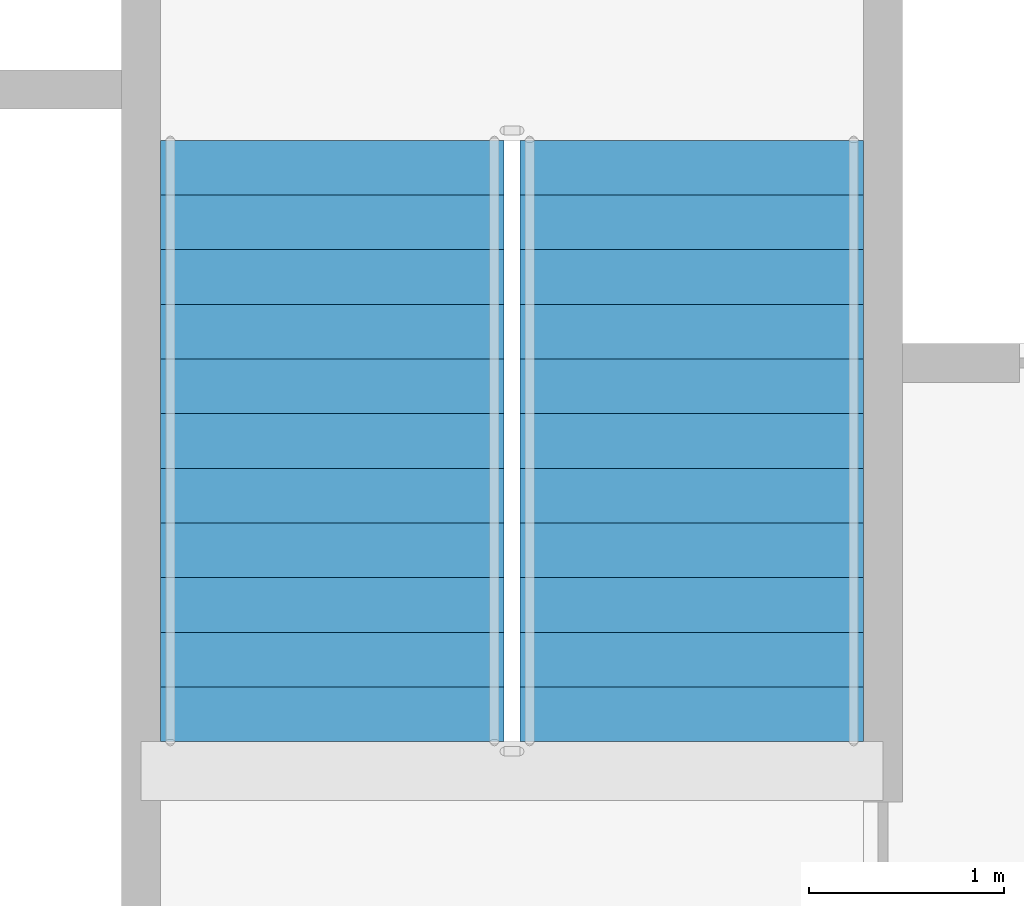
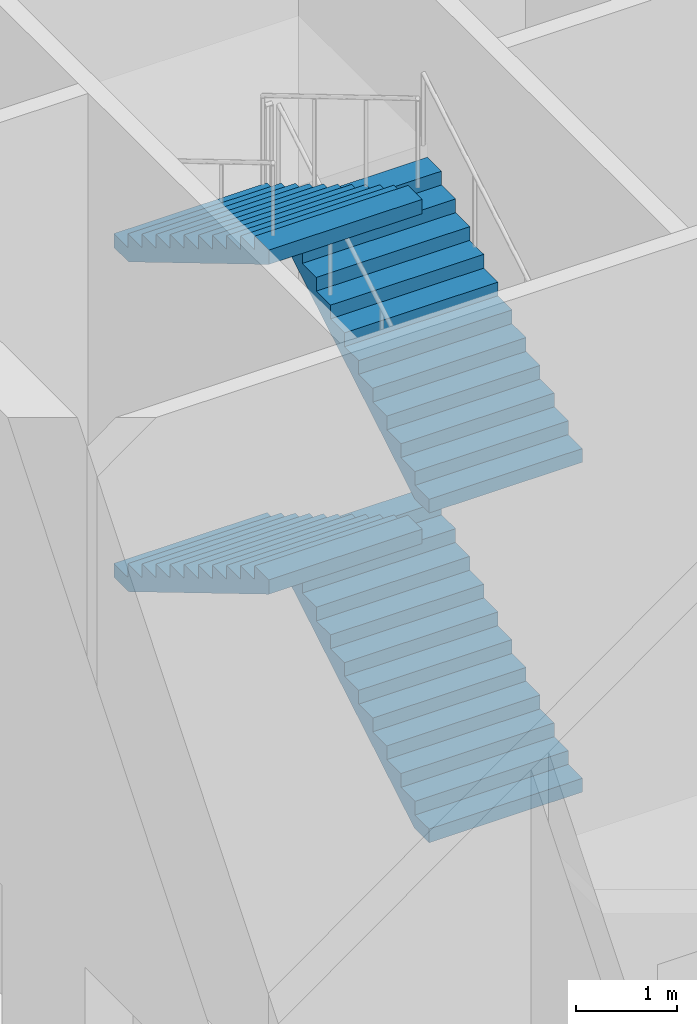
# One storey, part 45 of 55: 4 stair flights, 1 element without a shape of its own.
"""IFC4 building model written with IfcOpenShell, lengths in metres."""

from ifc_helpers import new_model, si_unit, direction, frame, origin, place, context, subcontext, project, spatial, faceted_brep, material, type_object, element, aggregate, save


model = new_model("IFC4")

# Units and contexts
model_context = context("Model", 3, precision=1e-05, world=origin(), true_north=direction((0.0, 1.0)))
body_context = subcontext(model_context, "Body", "Model", "MODEL_VIEW")
ifc_project = project(units=[si_unit("LENGTHUNIT", "METRE"), si_unit("AREAUNIT", "SQUARE_METRE"), si_unit("VOLUMEUNIT", "CUBIC_METRE"), si_unit("PLANEANGLEUNIT", "RADIAN"), si_unit("MASSUNIT", "GRAM", prefix="KILO")], contexts=[model_context])

# Site, building, storey
site_placement = place(None, origin())
site = spatial("IfcSite", under=ifc_project, at=site_placement, CompositionType="ELEMENT")
building_placement = place(site_placement, origin())
building = spatial("IfcBuilding", under=site, at=building_placement, Name="Tarsis Ring Headquarters", CompositionType="ELEMENT")
storey_placement = place(building_placement, frame((0.0, 0.0, 247.199951171875)))
storey = spatial("IfcBuildingStorey", under=building, at=storey_placement, Name="L58", CompositionType="ELEMENT", Elevation=247.199951171875)

# Stair, stair flights
ifc_material_1 = material(Name="Core stair 1760")
stair_type = type_object("IfcStairType", Name="Core stair 1760", PredefinedType="HALF_TURN_STAIR", material=ifc_material_1)
stair_placement = place(storey_placement, origin())
stair = element("IfcStair", 1, at=stair_placement, inside=storey, type_object=stair_type, Name="L58 Firefighting stair", PredefinedType="HALF_TURN_STAIR")
ifc_material_2 = material(Name="Concrete C40/50", Category="concrete")
stair_flight_type = type_object("IfcStairFlightType", Name="Core stair flight 1760", PredefinedType="STRAIGHT", material=ifc_material_2)
stair_flight_1_placement = place(storey_placement, frame((-3.580078125, 3.659912109375, 0.0), z_axis=(0.0, 0.0, 1.0), x_axis=(0.0, 1.0, 0.0)))
stair_flight_1 = element("IfcStairFlight", 2, at=stair_flight_1_placement, type_object=stair_flight_type, Name="Stair ST1 flight 1", NumberOfRisers=12, NumberOfTreads=11, PredefinedType="STRAIGHT", RiserHeight=0.166666667, TreadLength=0.28, context=body_context, shape_type="Brep", body=[
    faceted_brep([(0.0, 0.8798828125, 0.0), (0.0, 0.8798828125, 0.166748046875), (0.280029296875, 0.8798828125, 0.166748046875), (0.280029296875, 0.8798828125, 0.333251953125), (0.56005859375, 0.8798828125, 0.333251953125), (0.56005859375, 0.8798828125, 0.5), (0.840087890625, 0.8798828125, 0.5), (0.840087890625, 0.8798828125, 0.666748046875), (1.1201171875, 0.8798828125, 0.666748046875), (1.1201171875, 0.8798828125, 0.833251953125), (1.39990234375, 0.8798828125, 0.833251953125), (1.39990234375, 0.8798828125, 1.0), (1.679931640625, 0.8798828125, 1.0), (1.679931640625, 0.8798828125, 1.166748046875), (1.9599609375, 0.8798828125, 1.166748046875), (1.9599609375, 0.8798828125, 1.333251953125), (2.239990234375, 0.8798828125, 1.333251953125), (2.239990234375, 0.8798828125, 1.5), (2.52001953125, 0.8798828125, 1.5), (2.52001953125, 0.8798828125, 1.666748046875), (2.800048828125, 0.8798828125, 1.666748046875), (2.800048828125, 0.8798828125, 1.833251953125), (3.080078125, 0.8798828125, 1.833251953125), (3.080078125, 0.8798828125, 1.658935546875), (0.29296875, 0.8798828125, 0.0), (0.29296875, -0.8798828125, 0.0), (3.080078125, -0.8798828125, 1.658935546875), (3.080078125, -0.8798828125, 1.833251953125), (2.800048828125, -0.8798828125, 1.833251953125), (2.800048828125, -0.8798828125, 1.666748046875), (2.52001953125, -0.8798828125, 1.666748046875), (2.52001953125, -0.8798828125, 1.5), (2.239990234375, -0.8798828125, 1.5), (2.239990234375, -0.8798828125, 1.333251953125), (1.9599609375, -0.8798828125, 1.333251953125), (1.9599609375, -0.8798828125, 1.166748046875), (1.679931640625, -0.8798828125, 1.166748046875), (1.679931640625, -0.8798828125, 1.0), (1.39990234375, -0.8798828125, 1.0), (1.39990234375, -0.8798828125, 0.833251953125), (1.1201171875, -0.8798828125, 0.833251953125), (1.1201171875, -0.8798828125, 0.666748046875), (0.840087890625, -0.8798828125, 0.666748046875), (0.840087890625, -0.8798828125, 0.5), (0.56005859375, -0.8798828125, 0.5), (0.56005859375, -0.8798828125, 0.333251953125), (0.280029296875, -0.8798828125, 0.333251953125), (0.280029296875, -0.8798828125, 0.166748046875), (0.0, -0.8798828125, 0.166748046875), (0.0, -0.8798828125, 0.0), (0.0, -0.43994140625, 0.166748046875), (0.0, -0.43994140625, 0.0), (0.0, 0.0, 0.166748046875), (0.0, 0.0, 0.0), (0.0, 0.43994140625, 0.166748046875), (0.0, 0.43994140625, 0.0), (0.280029296875, -0.43994140625, 0.166748046875), (0.280029296875, 0.0, 0.166748046875), (0.280029296875, 0.43994140625, 0.166748046875), (0.280029296875, -0.43994140625, 0.333251953125), (0.280029296875, 0.0, 0.333251953125), (0.280029296875, 0.43994140625, 0.333251953125), (0.56005859375, -0.43994140625, 0.333251953125), (0.56005859375, 0.0, 0.333251953125), (0.56005859375, 0.43994140625, 0.333251953125), (0.56005859375, -0.43994140625, 0.5), (0.56005859375, 0.0, 0.5), (0.56005859375, 0.43994140625, 0.5), (0.840087890625, -0.43994140625, 0.5), (0.840087890625, 0.0, 0.5), (0.840087890625, 0.43994140625, 0.5), (0.840087890625, -0.43994140625, 0.666748046875), (0.840087890625, 0.0, 0.666748046875), (0.840087890625, 0.43994140625, 0.666748046875), (1.1201171875, -0.43994140625, 0.666748046875), (1.1201171875, 0.0, 0.666748046875), (1.1201171875, 0.43994140625, 0.666748046875), (1.1201171875, -0.43994140625, 0.833251953125), (1.1201171875, 0.0, 0.833251953125), (1.1201171875, 0.43994140625, 0.833251953125), (1.39990234375, -0.43994140625, 0.833251953125), (1.39990234375, 0.0, 0.833251953125), (1.39990234375, 0.43994140625, 0.833251953125), (1.39990234375, -0.43994140625, 1.0), (1.39990234375, 0.0, 1.0), (1.39990234375, 0.43994140625, 1.0), (1.679931640625, -0.43994140625, 1.0), (1.679931640625, 0.0, 1.0), (1.679931640625, 0.43994140625, 1.0), (1.679931640625, -0.43994140625, 1.166748046875), (1.679931640625, 0.0, 1.166748046875), (1.679931640625, 0.43994140625, 1.166748046875), (1.9599609375, -0.43994140625, 1.166748046875), (1.9599609375, 0.0, 1.166748046875), (1.9599609375, 0.43994140625, 1.166748046875), (1.9599609375, -0.43994140625, 1.333251953125), (1.9599609375, 0.0, 1.333251953125), (1.9599609375, 0.43994140625, 1.333251953125), (2.239990234375, -0.43994140625, 1.333251953125), (2.239990234375, 0.0, 1.333251953125), (2.239990234375, 0.43994140625, 1.333251953125), (2.239990234375, -0.43994140625, 1.5), (2.239990234375, 0.0, 1.5), (2.239990234375, 0.43994140625, 1.5), (2.52001953125, -0.43994140625, 1.5), (2.52001953125, 0.0, 1.5), (2.52001953125, 0.43994140625, 1.5), (2.52001953125, -0.43994140625, 1.666748046875), (2.52001953125, 0.0, 1.666748046875), (2.52001953125, 0.43994140625, 1.666748046875), (2.800048828125, -0.43994140625, 1.666748046875), (2.800048828125, 0.0, 1.666748046875), (2.800048828125, 0.43994140625, 1.666748046875), (2.800048828125, -0.43994140625, 1.833251953125), (2.800048828125, 0.0, 1.833251953125), (2.800048828125, 0.43994140625, 1.833251953125), (3.080078125, -0.43994140625, 1.833251953125), (3.080078125, 0.0, 1.833251953125), (3.080078125, 0.43994140625, 1.833251953125), (3.080078125, -0.43994140625, 1.658935546875), (3.080078125, 0.0, 1.658935546875), (3.080078125, 0.43994140625, 1.658935546875), (0.29296875, -0.43994140625, 0.0), (0.29296875, 0.0, 0.0), (0.29296875, 0.43994140625, 0.0)], [[[0, 1, 2, 3, 4, 5, 6, 7, 8, 9, 10, 11, 12, 13, 14, 15, 16, 17, 18, 19, 20, 21, 22, 23, 24]], [[25, 26, 27, 28, 29, 30, 31, 32, 33, 34, 35, 36, 37, 38, 39, 40, 41, 42, 43, 44, 45, 46, 47, 48, 49]], [[49, 48, 50, 51]], [[51, 50, 52, 53]], [[53, 52, 54, 55]], [[55, 54, 1, 0]], [[48, 47, 56, 50]], [[50, 56, 57, 52]], [[52, 57, 58, 54]], [[54, 58, 2, 1]], [[47, 46, 59, 56]], [[56, 59, 60, 57]], [[57, 60, 61, 58]], [[58, 61, 3, 2]], [[46, 45, 62, 59]], [[59, 62, 63, 60]], [[60, 63, 64, 61]], [[61, 64, 4, 3]], [[45, 44, 65, 62]], [[62, 65, 66, 63]], [[63, 66, 67, 64]], [[64, 67, 5, 4]], [[44, 43, 68, 65]], [[65, 68, 69, 66]], [[66, 69, 70, 67]], [[67, 70, 6, 5]], [[43, 42, 71, 68]], [[68, 71, 72, 69]], [[69, 72, 73, 70]], [[70, 73, 7, 6]], [[42, 41, 74, 71]], [[71, 74, 75, 72]], [[72, 75, 76, 73]], [[73, 76, 8, 7]], [[41, 40, 77, 74]], [[74, 77, 78, 75]], [[75, 78, 79, 76]], [[76, 79, 9, 8]], [[40, 39, 80, 77]], [[77, 80, 81, 78]], [[78, 81, 82, 79]], [[79, 82, 10, 9]], [[39, 38, 83, 80]], [[80, 83, 84, 81]], [[81, 84, 85, 82]], [[82, 85, 11, 10]], [[38, 37, 86, 83]], [[83, 86, 87, 84]], [[84, 87, 88, 85]], [[85, 88, 12, 11]], [[37, 36, 89, 86]], [[86, 89, 90, 87]], [[87, 90, 91, 88]], [[88, 91, 13, 12]], [[36, 35, 92, 89]], [[89, 92, 93, 90]], [[90, 93, 94, 91]], [[91, 94, 14, 13]], [[35, 34, 95, 92]], [[92, 95, 96, 93]], [[93, 96, 97, 94]], [[94, 97, 15, 14]], [[34, 33, 98, 95]], [[95, 98, 99, 96]], [[96, 99, 100, 97]], [[97, 100, 16, 15]], [[33, 32, 101, 98]], [[98, 101, 102, 99]], [[99, 102, 103, 100]], [[100, 103, 17, 16]], [[32, 31, 104, 101]], [[101, 104, 105, 102]], [[102, 105, 106, 103]], [[103, 106, 18, 17]], [[31, 30, 107, 104]], [[104, 107, 108, 105]], [[105, 108, 109, 106]], [[106, 109, 19, 18]], [[30, 29, 110, 107]], [[107, 110, 111, 108]], [[108, 111, 112, 109]], [[109, 112, 20, 19]], [[29, 28, 113, 110]], [[110, 113, 114, 111]], [[111, 114, 115, 112]], [[112, 115, 21, 20]], [[28, 27, 116, 113]], [[113, 116, 117, 114]], [[114, 117, 118, 115]], [[115, 118, 22, 21]], [[27, 26, 119, 116]], [[116, 119, 120, 117]], [[117, 120, 121, 118]], [[118, 121, 23, 22]], [[26, 25, 122, 119]], [[119, 122, 123, 120]], [[120, 123, 124, 121]], [[121, 124, 24, 23]], [[25, 49, 51, 122]], [[122, 51, 53, 123]], [[123, 53, 55, 124]], [[124, 55, 0, 24]]]),
])
stair_flight_2_placement = place(storey_placement, frame((-5.419921875, 6.739990234375, 2.0), z_axis=(0.0, 0.0, 1.0), x_axis=(0.0, -1.0, 0.0)))
stair_flight_2 = element("IfcStairFlight", 3, at=stair_flight_2_placement, type_object=stair_flight_type, Name="Stair ST1 flight 2", NumberOfRisers=12, NumberOfTreads=11, PredefinedType="STRAIGHT", RiserHeight=0.166666667, TreadLength=0.28, context=body_context, shape_type="Brep", body=[
    faceted_brep([(0.0, 0.8798828125, 0.0), (0.0, 0.8798828125, 0.166748046875), (0.280029296875, 0.8798828125, 0.166748046875), (0.280029296875, 0.8798828125, 0.333251953125), (0.56005859375, 0.8798828125, 0.333251953125), (0.56005859375, 0.8798828125, 0.5), (0.840087890625, 0.8798828125, 0.5), (0.840087890625, 0.8798828125, 0.666748046875), (1.1201171875, 0.8798828125, 0.666748046875), (1.1201171875, 0.8798828125, 0.833251953125), (1.39990234375, 0.8798828125, 0.833251953125), (1.39990234375, 0.8798828125, 1.0), (1.679931640625, 0.8798828125, 1.0), (1.679931640625, 0.8798828125, 1.166748046875), (1.9599609375, 0.8798828125, 1.166748046875), (1.9599609375, 0.8798828125, 1.333251953125), (2.239990234375, 0.8798828125, 1.333251953125), (2.239990234375, 0.8798828125, 1.5), (2.52001953125, 0.8798828125, 1.5), (2.52001953125, 0.8798828125, 1.666748046875), (2.800048828125, 0.8798828125, 1.666748046875), (2.800048828125, 0.8798828125, 1.833251953125), (3.080078125, 0.8798828125, 1.833251953125), (3.080078125, 0.8798828125, 1.658935546875), (0.29296875, 0.8798828125, 0.0), (0.29296875, -0.8798828125, 0.0), (3.080078125, -0.8798828125, 1.658935546875), (3.080078125, -0.8798828125, 1.833251953125), (2.800048828125, -0.8798828125, 1.833251953125), (2.800048828125, -0.8798828125, 1.666748046875), (2.52001953125, -0.8798828125, 1.666748046875), (2.52001953125, -0.8798828125, 1.5), (2.239990234375, -0.8798828125, 1.5), (2.239990234375, -0.8798828125, 1.333251953125), (1.9599609375, -0.8798828125, 1.333251953125), (1.9599609375, -0.8798828125, 1.166748046875), (1.679931640625, -0.8798828125, 1.166748046875), (1.679931640625, -0.8798828125, 1.0), (1.39990234375, -0.8798828125, 1.0), (1.39990234375, -0.8798828125, 0.833251953125), (1.1201171875, -0.8798828125, 0.833251953125), (1.1201171875, -0.8798828125, 0.666748046875), (0.840087890625, -0.8798828125, 0.666748046875), (0.840087890625, -0.8798828125, 0.5), (0.56005859375, -0.8798828125, 0.5), (0.56005859375, -0.8798828125, 0.333251953125), (0.280029296875, -0.8798828125, 0.333251953125), (0.280029296875, -0.8798828125, 0.166748046875), (0.0, -0.8798828125, 0.166748046875), (0.0, -0.8798828125, 0.0), (0.0, -0.43994140625, 0.166748046875), (0.0, -0.43994140625, 0.0), (0.0, 0.0, 0.166748046875), (0.0, 0.0, 0.0), (0.0, 0.43994140625, 0.166748046875), (0.0, 0.43994140625, 0.0), (0.280029296875, -0.43994140625, 0.166748046875), (0.280029296875, 0.0, 0.166748046875), (0.280029296875, 0.43994140625, 0.166748046875), (0.280029296875, -0.43994140625, 0.333251953125), (0.280029296875, 0.0, 0.333251953125), (0.280029296875, 0.43994140625, 0.333251953125), (0.56005859375, -0.43994140625, 0.333251953125), (0.56005859375, 0.0, 0.333251953125), (0.56005859375, 0.43994140625, 0.333251953125), (0.56005859375, -0.43994140625, 0.5), (0.56005859375, 0.0, 0.5), (0.56005859375, 0.43994140625, 0.5), (0.840087890625, -0.43994140625, 0.5), (0.840087890625, 0.0, 0.5), (0.840087890625, 0.43994140625, 0.5), (0.840087890625, -0.43994140625, 0.666748046875), (0.840087890625, 0.0, 0.666748046875), (0.840087890625, 0.43994140625, 0.666748046875), (1.1201171875, -0.43994140625, 0.666748046875), (1.1201171875, 0.0, 0.666748046875), (1.1201171875, 0.43994140625, 0.666748046875), (1.1201171875, -0.43994140625, 0.833251953125), (1.1201171875, 0.0, 0.833251953125), (1.1201171875, 0.43994140625, 0.833251953125), (1.39990234375, -0.43994140625, 0.833251953125), (1.39990234375, 0.0, 0.833251953125), (1.39990234375, 0.43994140625, 0.833251953125), (1.39990234375, -0.43994140625, 1.0), (1.39990234375, 0.0, 1.0), (1.39990234375, 0.43994140625, 1.0), (1.679931640625, -0.43994140625, 1.0), (1.679931640625, 0.0, 1.0), (1.679931640625, 0.43994140625, 1.0), (1.679931640625, -0.43994140625, 1.166748046875), (1.679931640625, 0.0, 1.166748046875), (1.679931640625, 0.43994140625, 1.166748046875), (1.9599609375, -0.43994140625, 1.166748046875), (1.9599609375, 0.0, 1.166748046875), (1.9599609375, 0.43994140625, 1.166748046875), (1.9599609375, -0.43994140625, 1.333251953125), (1.9599609375, 0.0, 1.333251953125), (1.9599609375, 0.43994140625, 1.333251953125), (2.239990234375, -0.43994140625, 1.333251953125), (2.239990234375, 0.0, 1.333251953125), (2.239990234375, 0.43994140625, 1.333251953125), (2.239990234375, -0.43994140625, 1.5), (2.239990234375, 0.0, 1.5), (2.239990234375, 0.43994140625, 1.5), (2.52001953125, -0.43994140625, 1.5), (2.52001953125, 0.0, 1.5), (2.52001953125, 0.43994140625, 1.5), (2.52001953125, -0.43994140625, 1.666748046875), (2.52001953125, 0.0, 1.666748046875), (2.52001953125, 0.43994140625, 1.666748046875), (2.800048828125, -0.43994140625, 1.666748046875), (2.800048828125, 0.0, 1.666748046875), (2.800048828125, 0.43994140625, 1.666748046875), (2.800048828125, -0.43994140625, 1.833251953125), (2.800048828125, 0.0, 1.833251953125), (2.800048828125, 0.43994140625, 1.833251953125), (3.080078125, -0.43994140625, 1.833251953125), (3.080078125, 0.0, 1.833251953125), (3.080078125, 0.43994140625, 1.833251953125), (3.080078125, -0.43994140625, 1.658935546875), (3.080078125, 0.0, 1.658935546875), (3.080078125, 0.43994140625, 1.658935546875), (0.29296875, -0.43994140625, 0.0), (0.29296875, 0.0, 0.0), (0.29296875, 0.43994140625, 0.0)], [[[0, 1, 2, 3, 4, 5, 6, 7, 8, 9, 10, 11, 12, 13, 14, 15, 16, 17, 18, 19, 20, 21, 22, 23, 24]], [[25, 26, 27, 28, 29, 30, 31, 32, 33, 34, 35, 36, 37, 38, 39, 40, 41, 42, 43, 44, 45, 46, 47, 48, 49]], [[49, 48, 50, 51]], [[51, 50, 52, 53]], [[53, 52, 54, 55]], [[55, 54, 1, 0]], [[48, 47, 56, 50]], [[50, 56, 57, 52]], [[52, 57, 58, 54]], [[54, 58, 2, 1]], [[47, 46, 59, 56]], [[56, 59, 60, 57]], [[57, 60, 61, 58]], [[58, 61, 3, 2]], [[46, 45, 62, 59]], [[59, 62, 63, 60]], [[60, 63, 64, 61]], [[61, 64, 4, 3]], [[45, 44, 65, 62]], [[62, 65, 66, 63]], [[63, 66, 67, 64]], [[64, 67, 5, 4]], [[44, 43, 68, 65]], [[65, 68, 69, 66]], [[66, 69, 70, 67]], [[67, 70, 6, 5]], [[43, 42, 71, 68]], [[68, 71, 72, 69]], [[69, 72, 73, 70]], [[70, 73, 7, 6]], [[42, 41, 74, 71]], [[71, 74, 75, 72]], [[72, 75, 76, 73]], [[73, 76, 8, 7]], [[41, 40, 77, 74]], [[74, 77, 78, 75]], [[75, 78, 79, 76]], [[76, 79, 9, 8]], [[40, 39, 80, 77]], [[77, 80, 81, 78]], [[78, 81, 82, 79]], [[79, 82, 10, 9]], [[39, 38, 83, 80]], [[80, 83, 84, 81]], [[81, 84, 85, 82]], [[82, 85, 11, 10]], [[38, 37, 86, 83]], [[83, 86, 87, 84]], [[84, 87, 88, 85]], [[85, 88, 12, 11]], [[37, 36, 89, 86]], [[86, 89, 90, 87]], [[87, 90, 91, 88]], [[88, 91, 13, 12]], [[36, 35, 92, 89]], [[89, 92, 93, 90]], [[90, 93, 94, 91]], [[91, 94, 14, 13]], [[35, 34, 95, 92]], [[92, 95, 96, 93]], [[93, 96, 97, 94]], [[94, 97, 15, 14]], [[34, 33, 98, 95]], [[95, 98, 99, 96]], [[96, 99, 100, 97]], [[97, 100, 16, 15]], [[33, 32, 101, 98]], [[98, 101, 102, 99]], [[99, 102, 103, 100]], [[100, 103, 17, 16]], [[32, 31, 104, 101]], [[101, 104, 105, 102]], [[102, 105, 106, 103]], [[103, 106, 18, 17]], [[31, 30, 107, 104]], [[104, 107, 108, 105]], [[105, 108, 109, 106]], [[106, 109, 19, 18]], [[30, 29, 110, 107]], [[107, 110, 111, 108]], [[108, 111, 112, 109]], [[109, 112, 20, 19]], [[29, 28, 113, 110]], [[110, 113, 114, 111]], [[111, 114, 115, 112]], [[112, 115, 21, 20]], [[28, 27, 116, 113]], [[113, 116, 117, 114]], [[114, 117, 118, 115]], [[115, 118, 22, 21]], [[27, 26, 119, 116]], [[116, 119, 120, 117]], [[117, 120, 121, 118]], [[118, 121, 23, 22]], [[26, 25, 122, 119]], [[119, 122, 123, 120]], [[120, 123, 124, 121]], [[121, 124, 24, 23]], [[25, 49, 51, 122]], [[122, 51, 53, 123]], [[123, 53, 55, 124]], [[124, 55, 0, 24]]]),
])
stair_flight_3_placement = place(storey_placement, frame((-3.580078125, 3.659912109375, 4.0), z_axis=(0.0, 0.0, 1.0), x_axis=(0.0, 1.0, 0.0)))
stair_flight_3 = element("IfcStairFlight", 4, at=stair_flight_3_placement, type_object=stair_flight_type, Name="Stair ST1 flight 3", NumberOfRisers=12, NumberOfTreads=11, PredefinedType="STRAIGHT", RiserHeight=0.166666667, TreadLength=0.28, context=body_context, shape_type="Brep", body=[
    faceted_brep([(0.0, 0.8798828125, 0.0), (0.0, 0.8798828125, 0.166748046875), (0.280029296875, 0.8798828125, 0.166748046875), (0.280029296875, 0.8798828125, 0.333251953125), (0.56005859375, 0.8798828125, 0.333251953125), (0.56005859375, 0.8798828125, 0.5), (0.840087890625, 0.8798828125, 0.5), (0.840087890625, 0.8798828125, 0.666748046875), (1.1201171875, 0.8798828125, 0.666748046875), (1.1201171875, 0.8798828125, 0.833251953125), (1.39990234375, 0.8798828125, 0.833251953125), (1.39990234375, 0.8798828125, 1.0), (1.679931640625, 0.8798828125, 1.0), (1.679931640625, 0.8798828125, 1.166748046875), (1.9599609375, 0.8798828125, 1.166748046875), (1.9599609375, 0.8798828125, 1.333251953125), (2.239990234375, 0.8798828125, 1.333251953125), (2.239990234375, 0.8798828125, 1.5), (2.52001953125, 0.8798828125, 1.5), (2.52001953125, 0.8798828125, 1.666748046875), (2.800048828125, 0.8798828125, 1.666748046875), (2.800048828125, 0.8798828125, 1.833251953125), (3.080078125, 0.8798828125, 1.833251953125), (3.080078125, 0.8798828125, 1.658935546875), (0.29296875, 0.8798828125, 0.0), (0.29296875, -0.8798828125, 0.0), (3.080078125, -0.8798828125, 1.658935546875), (3.080078125, -0.8798828125, 1.833251953125), (2.800048828125, -0.8798828125, 1.833251953125), (2.800048828125, -0.8798828125, 1.666748046875), (2.52001953125, -0.8798828125, 1.666748046875), (2.52001953125, -0.8798828125, 1.5), (2.239990234375, -0.8798828125, 1.5), (2.239990234375, -0.8798828125, 1.333251953125), (1.9599609375, -0.8798828125, 1.333251953125), (1.9599609375, -0.8798828125, 1.166748046875), (1.679931640625, -0.8798828125, 1.166748046875), (1.679931640625, -0.8798828125, 1.0), (1.39990234375, -0.8798828125, 1.0), (1.39990234375, -0.8798828125, 0.833251953125), (1.1201171875, -0.8798828125, 0.833251953125), (1.1201171875, -0.8798828125, 0.666748046875), (0.840087890625, -0.8798828125, 0.666748046875), (0.840087890625, -0.8798828125, 0.5), (0.56005859375, -0.8798828125, 0.5), (0.56005859375, -0.8798828125, 0.333251953125), (0.280029296875, -0.8798828125, 0.333251953125), (0.280029296875, -0.8798828125, 0.166748046875), (0.0, -0.8798828125, 0.166748046875), (0.0, -0.8798828125, 0.0), (0.0, -0.43994140625, 0.166748046875), (0.0, -0.43994140625, 0.0), (0.0, 0.0, 0.166748046875), (0.0, 0.0, 0.0), (0.0, 0.43994140625, 0.166748046875), (0.0, 0.43994140625, 0.0), (0.280029296875, -0.43994140625, 0.166748046875), (0.280029296875, 0.0, 0.166748046875), (0.280029296875, 0.43994140625, 0.166748046875), (0.280029296875, -0.43994140625, 0.333251953125), (0.280029296875, 0.0, 0.333251953125), (0.280029296875, 0.43994140625, 0.333251953125), (0.56005859375, -0.43994140625, 0.333251953125), (0.56005859375, 0.0, 0.333251953125), (0.56005859375, 0.43994140625, 0.333251953125), (0.56005859375, -0.43994140625, 0.5), (0.56005859375, 0.0, 0.5), (0.56005859375, 0.43994140625, 0.5), (0.840087890625, -0.43994140625, 0.5), (0.840087890625, 0.0, 0.5), (0.840087890625, 0.43994140625, 0.5), (0.840087890625, -0.43994140625, 0.666748046875), (0.840087890625, 0.0, 0.666748046875), (0.840087890625, 0.43994140625, 0.666748046875), (1.1201171875, -0.43994140625, 0.666748046875), (1.1201171875, 0.0, 0.666748046875), (1.1201171875, 0.43994140625, 0.666748046875), (1.1201171875, -0.43994140625, 0.833251953125), (1.1201171875, 0.0, 0.833251953125), (1.1201171875, 0.43994140625, 0.833251953125), (1.39990234375, -0.43994140625, 0.833251953125), (1.39990234375, 0.0, 0.833251953125), (1.39990234375, 0.43994140625, 0.833251953125), (1.39990234375, -0.43994140625, 1.0), (1.39990234375, 0.0, 1.0), (1.39990234375, 0.43994140625, 1.0), (1.679931640625, -0.43994140625, 1.0), (1.679931640625, 0.0, 1.0), (1.679931640625, 0.43994140625, 1.0), (1.679931640625, -0.43994140625, 1.166748046875), (1.679931640625, 0.0, 1.166748046875), (1.679931640625, 0.43994140625, 1.166748046875), (1.9599609375, -0.43994140625, 1.166748046875), (1.9599609375, 0.0, 1.166748046875), (1.9599609375, 0.43994140625, 1.166748046875), (1.9599609375, -0.43994140625, 1.333251953125), (1.9599609375, 0.0, 1.333251953125), (1.9599609375, 0.43994140625, 1.333251953125), (2.239990234375, -0.43994140625, 1.333251953125), (2.239990234375, 0.0, 1.333251953125), (2.239990234375, 0.43994140625, 1.333251953125), (2.239990234375, -0.43994140625, 1.5), (2.239990234375, 0.0, 1.5), (2.239990234375, 0.43994140625, 1.5), (2.52001953125, -0.43994140625, 1.5), (2.52001953125, 0.0, 1.5), (2.52001953125, 0.43994140625, 1.5), (2.52001953125, -0.43994140625, 1.666748046875), (2.52001953125, 0.0, 1.666748046875), (2.52001953125, 0.43994140625, 1.666748046875), (2.800048828125, -0.43994140625, 1.666748046875), (2.800048828125, 0.0, 1.666748046875), (2.800048828125, 0.43994140625, 1.666748046875), (2.800048828125, -0.43994140625, 1.833251953125), (2.800048828125, 0.0, 1.833251953125), (2.800048828125, 0.43994140625, 1.833251953125), (3.080078125, -0.43994140625, 1.833251953125), (3.080078125, 0.0, 1.833251953125), (3.080078125, 0.43994140625, 1.833251953125), (3.080078125, -0.43994140625, 1.658935546875), (3.080078125, 0.0, 1.658935546875), (3.080078125, 0.43994140625, 1.658935546875), (0.29296875, -0.43994140625, 0.0), (0.29296875, 0.0, 0.0), (0.29296875, 0.43994140625, 0.0)], [[[0, 1, 2, 3, 4, 5, 6, 7, 8, 9, 10, 11, 12, 13, 14, 15, 16, 17, 18, 19, 20, 21, 22, 23, 24]], [[25, 26, 27, 28, 29, 30, 31, 32, 33, 34, 35, 36, 37, 38, 39, 40, 41, 42, 43, 44, 45, 46, 47, 48, 49]], [[49, 48, 50, 51]], [[51, 50, 52, 53]], [[53, 52, 54, 55]], [[55, 54, 1, 0]], [[48, 47, 56, 50]], [[50, 56, 57, 52]], [[52, 57, 58, 54]], [[54, 58, 2, 1]], [[47, 46, 59, 56]], [[56, 59, 60, 57]], [[57, 60, 61, 58]], [[58, 61, 3, 2]], [[46, 45, 62, 59]], [[59, 62, 63, 60]], [[60, 63, 64, 61]], [[61, 64, 4, 3]], [[45, 44, 65, 62]], [[62, 65, 66, 63]], [[63, 66, 67, 64]], [[64, 67, 5, 4]], [[44, 43, 68, 65]], [[65, 68, 69, 66]], [[66, 69, 70, 67]], [[67, 70, 6, 5]], [[43, 42, 71, 68]], [[68, 71, 72, 69]], [[69, 72, 73, 70]], [[70, 73, 7, 6]], [[42, 41, 74, 71]], [[71, 74, 75, 72]], [[72, 75, 76, 73]], [[73, 76, 8, 7]], [[41, 40, 77, 74]], [[74, 77, 78, 75]], [[75, 78, 79, 76]], [[76, 79, 9, 8]], [[40, 39, 80, 77]], [[77, 80, 81, 78]], [[78, 81, 82, 79]], [[79, 82, 10, 9]], [[39, 38, 83, 80]], [[80, 83, 84, 81]], [[81, 84, 85, 82]], [[82, 85, 11, 10]], [[38, 37, 86, 83]], [[83, 86, 87, 84]], [[84, 87, 88, 85]], [[85, 88, 12, 11]], [[37, 36, 89, 86]], [[86, 89, 90, 87]], [[87, 90, 91, 88]], [[88, 91, 13, 12]], [[36, 35, 92, 89]], [[89, 92, 93, 90]], [[90, 93, 94, 91]], [[91, 94, 14, 13]], [[35, 34, 95, 92]], [[92, 95, 96, 93]], [[93, 96, 97, 94]], [[94, 97, 15, 14]], [[34, 33, 98, 95]], [[95, 98, 99, 96]], [[96, 99, 100, 97]], [[97, 100, 16, 15]], [[33, 32, 101, 98]], [[98, 101, 102, 99]], [[99, 102, 103, 100]], [[100, 103, 17, 16]], [[32, 31, 104, 101]], [[101, 104, 105, 102]], [[102, 105, 106, 103]], [[103, 106, 18, 17]], [[31, 30, 107, 104]], [[104, 107, 108, 105]], [[105, 108, 109, 106]], [[106, 109, 19, 18]], [[30, 29, 110, 107]], [[107, 110, 111, 108]], [[108, 111, 112, 109]], [[109, 112, 20, 19]], [[29, 28, 113, 110]], [[110, 113, 114, 111]], [[111, 114, 115, 112]], [[112, 115, 21, 20]], [[28, 27, 116, 113]], [[113, 116, 117, 114]], [[114, 117, 118, 115]], [[115, 118, 22, 21]], [[27, 26, 119, 116]], [[116, 119, 120, 117]], [[117, 120, 121, 118]], [[118, 121, 23, 22]], [[26, 25, 122, 119]], [[119, 122, 123, 120]], [[120, 123, 124, 121]], [[121, 124, 24, 23]], [[25, 49, 51, 122]], [[122, 51, 53, 123]], [[123, 53, 55, 124]], [[124, 55, 0, 24]]]),
])
stair_flight_4_placement = place(storey_placement, frame((-5.419921875, 6.739990234375, 6.0), z_axis=(0.0, 0.0, 1.0), x_axis=(0.0, -1.0, 0.0)))
stair_flight_4 = element("IfcStairFlight", 5, at=stair_flight_4_placement, type_object=stair_flight_type, Name="Stair ST1 flight 4", NumberOfRisers=12, NumberOfTreads=11, PredefinedType="STRAIGHT", RiserHeight=0.166666667, TreadLength=0.28, context=body_context, shape_type="Brep", body=[
    faceted_brep([(0.0, 0.8798828125, 0.0), (0.0, 0.8798828125, 0.166748046875), (0.280029296875, 0.8798828125, 0.166748046875), (0.280029296875, 0.8798828125, 0.333251953125), (0.56005859375, 0.8798828125, 0.333251953125), (0.56005859375, 0.8798828125, 0.5), (0.840087890625, 0.8798828125, 0.5), (0.840087890625, 0.8798828125, 0.666748046875), (1.1201171875, 0.8798828125, 0.666748046875), (1.1201171875, 0.8798828125, 0.833251953125), (1.39990234375, 0.8798828125, 0.833251953125), (1.39990234375, 0.8798828125, 1.0), (1.679931640625, 0.8798828125, 1.0), (1.679931640625, 0.8798828125, 1.166748046875), (1.9599609375, 0.8798828125, 1.166748046875), (1.9599609375, 0.8798828125, 1.333251953125), (2.239990234375, 0.8798828125, 1.333251953125), (2.239990234375, 0.8798828125, 1.5), (2.52001953125, 0.8798828125, 1.5), (2.52001953125, 0.8798828125, 1.666748046875), (2.800048828125, 0.8798828125, 1.666748046875), (2.800048828125, 0.8798828125, 1.833251953125), (3.080078125, 0.8798828125, 1.833251953125), (3.080078125, 0.8798828125, 1.658935546875), (0.29296875, 0.8798828125, 0.0), (0.29296875, -0.8798828125, 0.0), (3.080078125, -0.8798828125, 1.658935546875), (3.080078125, -0.8798828125, 1.833251953125), (2.800048828125, -0.8798828125, 1.833251953125), (2.800048828125, -0.8798828125, 1.666748046875), (2.52001953125, -0.8798828125, 1.666748046875), (2.52001953125, -0.8798828125, 1.5), (2.239990234375, -0.8798828125, 1.5), (2.239990234375, -0.8798828125, 1.333251953125), (1.9599609375, -0.8798828125, 1.333251953125), (1.9599609375, -0.8798828125, 1.166748046875), (1.679931640625, -0.8798828125, 1.166748046875), (1.679931640625, -0.8798828125, 1.0), (1.39990234375, -0.8798828125, 1.0), (1.39990234375, -0.8798828125, 0.833251953125), (1.1201171875, -0.8798828125, 0.833251953125), (1.1201171875, -0.8798828125, 0.666748046875), (0.840087890625, -0.8798828125, 0.666748046875), (0.840087890625, -0.8798828125, 0.5), (0.56005859375, -0.8798828125, 0.5), (0.56005859375, -0.8798828125, 0.333251953125), (0.280029296875, -0.8798828125, 0.333251953125), (0.280029296875, -0.8798828125, 0.166748046875), (0.0, -0.8798828125, 0.166748046875), (0.0, -0.8798828125, 0.0), (0.0, -0.43994140625, 0.166748046875), (0.0, -0.43994140625, 0.0), (0.0, 0.0, 0.166748046875), (0.0, 0.0, 0.0), (0.0, 0.43994140625, 0.166748046875), (0.0, 0.43994140625, 0.0), (0.280029296875, -0.43994140625, 0.166748046875), (0.280029296875, 0.0, 0.166748046875), (0.280029296875, 0.43994140625, 0.166748046875), (0.280029296875, -0.43994140625, 0.333251953125), (0.280029296875, 0.0, 0.333251953125), (0.280029296875, 0.43994140625, 0.333251953125), (0.56005859375, -0.43994140625, 0.333251953125), (0.56005859375, 0.0, 0.333251953125), (0.56005859375, 0.43994140625, 0.333251953125), (0.56005859375, -0.43994140625, 0.5), (0.56005859375, 0.0, 0.5), (0.56005859375, 0.43994140625, 0.5), (0.840087890625, -0.43994140625, 0.5), (0.840087890625, 0.0, 0.5), (0.840087890625, 0.43994140625, 0.5), (0.840087890625, -0.43994140625, 0.666748046875), (0.840087890625, 0.0, 0.666748046875), (0.840087890625, 0.43994140625, 0.666748046875), (1.1201171875, -0.43994140625, 0.666748046875), (1.1201171875, 0.0, 0.666748046875), (1.1201171875, 0.43994140625, 0.666748046875), (1.1201171875, -0.43994140625, 0.833251953125), (1.1201171875, 0.0, 0.833251953125), (1.1201171875, 0.43994140625, 0.833251953125), (1.39990234375, -0.43994140625, 0.833251953125), (1.39990234375, 0.0, 0.833251953125), (1.39990234375, 0.43994140625, 0.833251953125), (1.39990234375, -0.43994140625, 1.0), (1.39990234375, 0.0, 1.0), (1.39990234375, 0.43994140625, 1.0), (1.679931640625, -0.43994140625, 1.0), (1.679931640625, 0.0, 1.0), (1.679931640625, 0.43994140625, 1.0), (1.679931640625, -0.43994140625, 1.166748046875), (1.679931640625, 0.0, 1.166748046875), (1.679931640625, 0.43994140625, 1.166748046875), (1.9599609375, -0.43994140625, 1.166748046875), (1.9599609375, 0.0, 1.166748046875), (1.9599609375, 0.43994140625, 1.166748046875), (1.9599609375, -0.43994140625, 1.333251953125), (1.9599609375, 0.0, 1.333251953125), (1.9599609375, 0.43994140625, 1.333251953125), (2.239990234375, -0.43994140625, 1.333251953125), (2.239990234375, 0.0, 1.333251953125), (2.239990234375, 0.43994140625, 1.333251953125), (2.239990234375, -0.43994140625, 1.5), (2.239990234375, 0.0, 1.5), (2.239990234375, 0.43994140625, 1.5), (2.52001953125, -0.43994140625, 1.5), (2.52001953125, 0.0, 1.5), (2.52001953125, 0.43994140625, 1.5), (2.52001953125, -0.43994140625, 1.666748046875), (2.52001953125, 0.0, 1.666748046875), (2.52001953125, 0.43994140625, 1.666748046875), (2.800048828125, -0.43994140625, 1.666748046875), (2.800048828125, 0.0, 1.666748046875), (2.800048828125, 0.43994140625, 1.666748046875), (2.800048828125, -0.43994140625, 1.833251953125), (2.800048828125, 0.0, 1.833251953125), (2.800048828125, 0.43994140625, 1.833251953125), (3.080078125, -0.43994140625, 1.833251953125), (3.080078125, 0.0, 1.833251953125), (3.080078125, 0.43994140625, 1.833251953125), (3.080078125, -0.43994140625, 1.658935546875), (3.080078125, 0.0, 1.658935546875), (3.080078125, 0.43994140625, 1.658935546875), (0.29296875, -0.43994140625, 0.0), (0.29296875, 0.0, 0.0), (0.29296875, 0.43994140625, 0.0)], [[[0, 1, 2, 3, 4, 5, 6, 7, 8, 9, 10, 11, 12, 13, 14, 15, 16, 17, 18, 19, 20, 21, 22, 23, 24]], [[25, 26, 27, 28, 29, 30, 31, 32, 33, 34, 35, 36, 37, 38, 39, 40, 41, 42, 43, 44, 45, 46, 47, 48, 49]], [[49, 48, 50, 51]], [[51, 50, 52, 53]], [[53, 52, 54, 55]], [[55, 54, 1, 0]], [[48, 47, 56, 50]], [[50, 56, 57, 52]], [[52, 57, 58, 54]], [[54, 58, 2, 1]], [[47, 46, 59, 56]], [[56, 59, 60, 57]], [[57, 60, 61, 58]], [[58, 61, 3, 2]], [[46, 45, 62, 59]], [[59, 62, 63, 60]], [[60, 63, 64, 61]], [[61, 64, 4, 3]], [[45, 44, 65, 62]], [[62, 65, 66, 63]], [[63, 66, 67, 64]], [[64, 67, 5, 4]], [[44, 43, 68, 65]], [[65, 68, 69, 66]], [[66, 69, 70, 67]], [[67, 70, 6, 5]], [[43, 42, 71, 68]], [[68, 71, 72, 69]], [[69, 72, 73, 70]], [[70, 73, 7, 6]], [[42, 41, 74, 71]], [[71, 74, 75, 72]], [[72, 75, 76, 73]], [[73, 76, 8, 7]], [[41, 40, 77, 74]], [[74, 77, 78, 75]], [[75, 78, 79, 76]], [[76, 79, 9, 8]], [[40, 39, 80, 77]], [[77, 80, 81, 78]], [[78, 81, 82, 79]], [[79, 82, 10, 9]], [[39, 38, 83, 80]], [[80, 83, 84, 81]], [[81, 84, 85, 82]], [[82, 85, 11, 10]], [[38, 37, 86, 83]], [[83, 86, 87, 84]], [[84, 87, 88, 85]], [[85, 88, 12, 11]], [[37, 36, 89, 86]], [[86, 89, 90, 87]], [[87, 90, 91, 88]], [[88, 91, 13, 12]], [[36, 35, 92, 89]], [[89, 92, 93, 90]], [[90, 93, 94, 91]], [[91, 94, 14, 13]], [[35, 34, 95, 92]], [[92, 95, 96, 93]], [[93, 96, 97, 94]], [[94, 97, 15, 14]], [[34, 33, 98, 95]], [[95, 98, 99, 96]], [[96, 99, 100, 97]], [[97, 100, 16, 15]], [[33, 32, 101, 98]], [[98, 101, 102, 99]], [[99, 102, 103, 100]], [[100, 103, 17, 16]], [[32, 31, 104, 101]], [[101, 104, 105, 102]], [[102, 105, 106, 103]], [[103, 106, 18, 17]], [[31, 30, 107, 104]], [[104, 107, 108, 105]], [[105, 108, 109, 106]], [[106, 109, 19, 18]], [[30, 29, 110, 107]], [[107, 110, 111, 108]], [[108, 111, 112, 109]], [[109, 112, 20, 19]], [[29, 28, 113, 110]], [[110, 113, 114, 111]], [[111, 114, 115, 112]], [[112, 115, 21, 20]], [[28, 27, 116, 113]], [[113, 116, 117, 114]], [[114, 117, 118, 115]], [[115, 118, 22, 21]], [[27, 26, 119, 116]], [[116, 119, 120, 117]], [[117, 120, 121, 118]], [[118, 121, 23, 22]], [[26, 25, 122, 119]], [[119, 122, 123, 120]], [[120, 123, 124, 121]], [[121, 124, 24, 23]], [[25, 49, 51, 122]], [[122, 51, 53, 123]], [[123, 53, 55, 124]], [[124, 55, 0, 24]]]),
])
aggregate(stair, [stair_flight_1, stair_flight_2, stair_flight_3, stair_flight_4])

save(model, "model.ifc")
